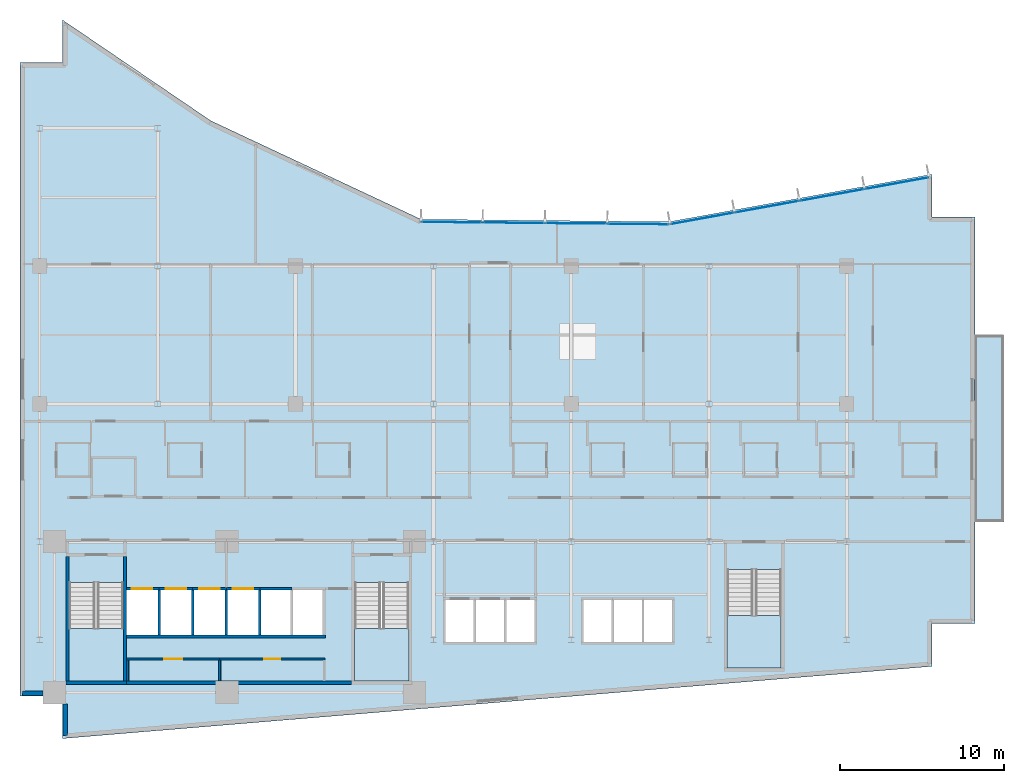
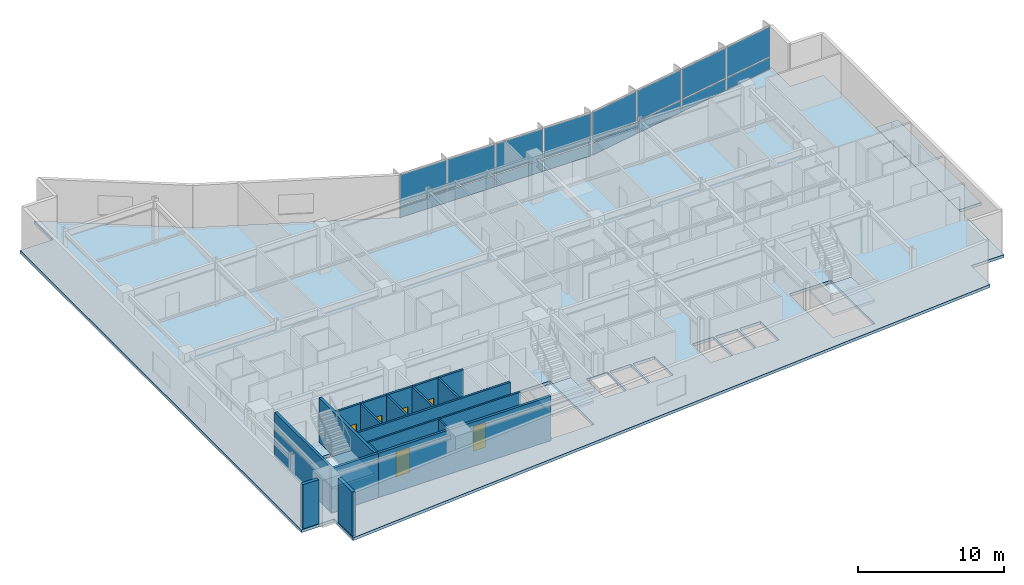
# One storey, part 9 of 19: 20 walls, 16 plates, 6 doors, 5 slabs, 6 openings, 5 elements without a shape of their own.
"""IFC4 building model written with IfcOpenShell, lengths in metres."""

from ifc_helpers import new_model, si_unit, direction, frame, frame_2d, origin, origin_2d, place, context, subcontext, project, spatial, polyline, rectangle, outline, extrude, material, layer, layer_set, type_object, element, fill, aggregate, save


model = new_model("IFC4")

# Units and contexts
model_context = context("Model", 3, precision=1e-05, world=origin(), true_north=direction((0.0, 1.0)))
body_context = subcontext(model_context, "Body", "Model", "MODEL_VIEW")
ifc_project = project(units=[si_unit("LENGTHUNIT", "METRE"), si_unit("AREAUNIT", "SQUARE_METRE"), si_unit("VOLUMEUNIT", "CUBIC_METRE"), si_unit("PLANEANGLEUNIT", "RADIAN"), si_unit("MASSUNIT", "GRAM", prefix="KILO")], contexts=[model_context])

# Site, building, storey
site_placement = place(None, origin())
site = spatial("IfcSite", under=ifc_project, at=site_placement, CompositionType="ELEMENT")
building_placement = place(site_placement, origin())
building = spatial("IfcBuilding", under=site, at=building_placement, Name="Varnakote Quay Hospital", CompositionType="ELEMENT")
storey_placement = place(building_placement, frame((0.0, 0.0, 54.10009765625)))
storey = spatial("IfcBuildingStorey", under=building, at=storey_placement, Name="L13", CompositionType="ELEMENT", Elevation=54.10009765625)

# Curtain wall, plates
ifc_material_1 = material(Name="Anodised aluminium 6063-T6 Bronze", Category="aluminium")
ifc_layer_1 = layer(ifc_material_1, 0.18994140625)
ifc_layer_set_1 = layer_set([ifc_layer_1], Name="Anodised aluminium 6063-T6 Bronze")
curtain_wall_type = type_object("IfcCurtainWallType", Name="CW-SYS-2", PredefinedType="NOTDEFINED", material=ifc_layer_set_1)
curtain_wall_1_placement = place(storey_placement, origin())
curtain_wall_1 = element("IfcCurtainWall", 1, at=curtain_wall_1_placement, inside=storey, type_object=curtain_wall_type, Name="L13 Unitised Bronze Curtain Wall 1", PredefinedType="NOTDEFINED")
ifc_material_2 = material(Name="Double-glazed acoustic laminated glass", Category="glass")
ifc_layer_2 = layer(ifc_material_2, 0.031982421875)
ifc_layer_set_2 = layer_set([ifc_layer_2], Name="Double-glazed acoustic laminated glass")
plate_type = type_object("IfcPlateType", Name="CW-PNL-GLZ-32", PredefinedType="CURTAIN_PANEL", material=ifc_layer_set_2)
plate_1_placement = place(storey_placement, frame((53.440185546875, 33.84716796875, 0.07470703125), z_axis=(0.0, 0.0, 1.0), x_axis=(-0.984058295766, -0.177846199098, 0.0)))
plate_1 = element("IfcPlate", 2, at=plate_1_placement, type_object=plate_type, Name="-2-L13-1 panel 1.1", PredefinedType="CURTAIN_PANEL", context=body_context, shape_type="SweptSolid", body=[
    extrude(rectangle(XDim=3.914306640625, YDim=0.031982421875, at=origin_2d()), origin(), (0.0, 0.0, 1.0), 0.987548828125),
])
plate_2_placement = place(storey_placement, frame((53.440185546875, 33.84716796875, 1.137451171875), z_axis=(0.0, 0.0, 1.0), x_axis=(-0.984058295766, -0.177846199098, 0.0)))
plate_2 = element("IfcPlate", 3, at=plate_2_placement, type_object=plate_type, Name="-2-L13-1 panel 1.2", PredefinedType="CURTAIN_PANEL", context=body_context, shape_type="SweptSolid", body=[
    extrude(rectangle(XDim=3.914306640625, YDim=0.031982421875, at=origin_2d()), origin(), (0.0, 0.0, 1.0), 2.49755859375),
])
plate_3_placement = place(storey_placement, frame((49.49609375, 33.13427734375, 0.07470703125), z_axis=(0.0, 0.0, 1.0), x_axis=(-0.984058295766, -0.177846199098, 0.0)))
plate_3 = element("IfcPlate", 4, at=plate_3_placement, type_object=plate_type, Name="-2-L13-1 panel 2.1", PredefinedType="CURTAIN_PANEL", context=body_context, shape_type="SweptSolid", body=[
    extrude(rectangle(XDim=3.951904296875, YDim=0.031982421875, at=origin_2d()), origin(), (0.0, 0.0, 1.0), 0.987548828125),
])
plate_4_placement = place(storey_placement, frame((49.49609375, 33.13427734375, 1.137451171875), z_axis=(0.0, 0.0, 1.0), x_axis=(-0.984058295766, -0.177846199098, 0.0)))
plate_4 = element("IfcPlate", 5, at=plate_4_placement, type_object=plate_type, Name="-2-L13-1 panel 2.2", PredefinedType="CURTAIN_PANEL", context=body_context, shape_type="SweptSolid", body=[
    extrude(rectangle(XDim=3.951904296875, YDim=0.031982421875, at=origin_2d()), origin(), (0.0, 0.0, 1.0), 2.49755859375),
])
plate_5_placement = place(storey_placement, frame((45.533447265625, 32.418212890625, 0.07470703125), z_axis=(0.0, 0.0, 1.0), x_axis=(-0.984058295766, -0.177846199098, 0.0)))
plate_5 = element("IfcPlate", 6, at=plate_5_placement, type_object=plate_type, Name="-2-L13-1 panel 3.1", PredefinedType="CURTAIN_PANEL", context=body_context, shape_type="SweptSolid", body=[
    extrude(rectangle(XDim=3.951904296875, YDim=0.031982421875, at=origin_2d()), origin(), (0.0, 0.0, 1.0), 0.987548828125),
])
plate_6_placement = place(storey_placement, frame((45.533447265625, 32.418212890625, 1.137451171875), z_axis=(0.0, 0.0, 1.0), x_axis=(-0.984058295766, -0.177846199098, 0.0)))
plate_6 = element("IfcPlate", 7, at=plate_6_placement, type_object=plate_type, Name="-2-L13-1 panel 3.2", PredefinedType="CURTAIN_PANEL", context=body_context, shape_type="SweptSolid", body=[
    extrude(rectangle(XDim=3.951904296875, YDim=0.031982421875, at=origin_2d()), origin(), (0.0, 0.0, 1.0), 2.49755859375),
])
plate_7_placement = place(storey_placement, frame((41.58935546875, 31.705322265625, 0.07470703125), z_axis=(0.0, 0.0, 1.0), x_axis=(-0.984058295766, -0.177846199098, 0.0)))
plate_7 = element("IfcPlate", 8, at=plate_7_placement, type_object=plate_type, Name="-2-L13-1 panel 4.1", PredefinedType="CURTAIN_PANEL", context=body_context, shape_type="SweptSolid", body=[
    extrude(rectangle(XDim=3.914306640625, YDim=0.031982421875, at=origin_2d()), origin(), (0.0, 0.0, 1.0), 0.987548828125),
])
plate_8_placement = place(storey_placement, frame((41.58935546875, 31.705322265625, 1.137451171875), z_axis=(0.0, 0.0, 1.0), x_axis=(-0.984058295766, -0.177846199098, 0.0)))
plate_8 = element("IfcPlate", 9, at=plate_8_placement, type_object=plate_type, Name="-2-L13-1 panel 4.2", PredefinedType="CURTAIN_PANEL", context=body_context, shape_type="SweptSolid", body=[
    extrude(rectangle(XDim=3.914306640625, YDim=0.031982421875, at=origin_2d()), origin(), (0.0, 0.0, 1.0), 2.49755859375),
])
aggregate(curtain_wall_1, [plate_1, plate_2, plate_3, plate_4, plate_5, plate_6, plate_7, plate_8])

curtain_wall_2_placement = place(storey_placement, origin())
curtain_wall_2 = element("IfcCurtainWall", 10, at=curtain_wall_2_placement, inside=storey, type_object=curtain_wall_type, Name="L13 Unitised Bronze Curtain Wall 2", PredefinedType="NOTDEFINED")
plate_9_placement = place(storey_placement, frame((37.673095703125, 31.362548828125, 0.07470703125), z_axis=(0.0, 0.0, 1.0), x_axis=(-0.999952230718, 0.009774266312, 0.0)))
plate_9 = element("IfcPlate", 11, at=plate_9_placement, type_object=plate_type, Name="-2-L13-2 panel 1.1", PredefinedType="CURTAIN_PANEL", context=body_context, shape_type="SweptSolid", body=[
    extrude(rectangle(XDim=3.68310546875, YDim=0.031982421875, at=origin_2d()), origin(), (0.0, 0.0, 1.0), 0.987548828125),
])
plate_10_placement = place(storey_placement, frame((37.673095703125, 31.362548828125, 1.137451171875), z_axis=(0.0, 0.0, 1.0), x_axis=(-0.999952230718, 0.009774266312, 0.0)))
plate_10 = element("IfcPlate", 12, at=plate_10_placement, type_object=plate_type, Name="-2-L13-2 panel 1.2", PredefinedType="CURTAIN_PANEL", context=body_context, shape_type="SweptSolid", body=[
    extrude(rectangle(XDim=3.68310546875, YDim=0.031982421875, at=origin_2d()), origin(), (0.0, 0.0, 1.0), 2.49755859375),
])
plate_11_placement = place(storey_placement, frame((33.896240234375, 31.399658203125, 0.07470703125), z_axis=(0.0, 0.0, 1.0), x_axis=(-0.999952230718, 0.009774266312, 0.0)))
plate_11 = element("IfcPlate", 13, at=plate_11_placement, type_object=plate_type, Name="-2-L13-2 panel 2.1", PredefinedType="CURTAIN_PANEL", context=body_context, shape_type="SweptSolid", body=[
    extrude(rectangle(XDim=3.720703125, YDim=0.031982421875, at=origin_2d()), origin(), (0.0, 0.0, 1.0), 0.987548828125),
])
plate_12_placement = place(storey_placement, frame((33.896240234375, 31.399658203125, 1.137451171875), z_axis=(0.0, 0.0, 1.0), x_axis=(-0.999952230718, 0.009774266312, 0.0)))
plate_12 = element("IfcPlate", 14, at=plate_12_placement, type_object=plate_type, Name="-2-L13-2 panel 2.2", PredefinedType="CURTAIN_PANEL", context=body_context, shape_type="SweptSolid", body=[
    extrude(rectangle(XDim=3.720703125, YDim=0.031982421875, at=origin_2d()), origin(), (0.0, 0.0, 1.0), 2.49755859375),
])
plate_13_placement = place(storey_placement, frame((30.100830078125, 31.436767578125, 0.07470703125), z_axis=(0.0, 0.0, 1.0), x_axis=(-0.999952230718, 0.009774266312, 0.0)))
plate_13 = element("IfcPlate", 15, at=plate_13_placement, type_object=plate_type, Name="-2-L13-2 panel 3.1", PredefinedType="CURTAIN_PANEL", context=body_context, shape_type="SweptSolid", body=[
    extrude(rectangle(XDim=3.720703125, YDim=0.031982421875, at=origin_2d()), origin(), (0.0, 0.0, 1.0), 0.987548828125),
])
plate_14_placement = place(storey_placement, frame((30.100830078125, 31.436767578125, 1.137451171875), z_axis=(0.0, 0.0, 1.0), x_axis=(-0.999952230718, 0.009774266312, 0.0)))
plate_14 = element("IfcPlate", 16, at=plate_14_placement, type_object=plate_type, Name="-2-L13-2 panel 3.2", PredefinedType="CURTAIN_PANEL", context=body_context, shape_type="SweptSolid", body=[
    extrude(rectangle(XDim=3.720703125, YDim=0.031982421875, at=origin_2d()), origin(), (0.0, 0.0, 1.0), 2.49755859375),
])
plate_15_placement = place(storey_placement, frame((26.32421875, 31.4736328125, 0.07470703125), z_axis=(0.0, 0.0, 1.0), x_axis=(-0.999952230718, 0.009774266312, 0.0)))
plate_15 = element("IfcPlate", 17, at=plate_15_placement, type_object=plate_type, Name="-2-L13-2 panel 4.1", PredefinedType="CURTAIN_PANEL", context=body_context, shape_type="SweptSolid", body=[
    extrude(rectangle(XDim=3.68310546875, YDim=0.031982421875, at=origin_2d()), origin(), (0.0, 0.0, 1.0), 0.987548828125),
])
plate_16_placement = place(storey_placement, frame((26.32421875, 31.4736328125, 1.137451171875), z_axis=(0.0, 0.0, 1.0), x_axis=(-0.999952230718, 0.009774266312, 0.0)))
plate_16 = element("IfcPlate", 18, at=plate_16_placement, type_object=plate_type, Name="-2-L13-2 panel 4.2", PredefinedType="CURTAIN_PANEL", context=body_context, shape_type="SweptSolid", body=[
    extrude(rectangle(XDim=3.68310546875, YDim=0.031982421875, at=origin_2d()), origin(), (0.0, 0.0, 1.0), 2.49755859375),
])
aggregate(curtain_wall_2, [plate_9, plate_10, plate_11, plate_12, plate_13, plate_14, plate_15, plate_16])

# Stair, slab
ifc_material_3 = material(Name="Concrete N40 (f'c 40 MPa)", Category="concrete")
stair_type = type_object("IfcStairType", Name="STR-CORE-1580", PredefinedType="HALF_TURN_STAIR", material=ifc_material_3)
stair_1_placement = place(storey_placement, origin())
stair_1 = element("IfcStair", 19, at=stair_1_placement, inside=storey, type_object=stair_type, Name="L13 Fire-Isolated Exit Stair ST-01", PredefinedType="HALF_TURN_STAIR")
ifc_material_4 = material(Name="Concrete N40 (f'c 40 MPa)", Category="concrete")
ifc_layer_3 = layer(ifc_material_4, 0.199951171875)
ifc_layer_set_3 = layer_set([ifc_layer_3], Name="Concrete N40 (f'c 40 MPa)")
slab_type_1 = type_object("IfcSlabType", Name="SLB-STAIR-LND-200", PredefinedType="LANDING", material=ifc_layer_set_3)
slab_1_placement = place(storey_placement, frame((0.0, 0.0, 1.77490234375)))
slab_1 = element("IfcSlab", 20, at=slab_1_placement, type_object=slab_type_1, Name="ST-01 landing 1", PredefinedType="LANDING", context=body_context, shape_type="SweptSolid", body=[
    extrude(outline(polyline([(3.0, 6.699951171875), (3.0, 3.5), (6.300048828125, 3.5), (6.300048828125, 6.699951171875), (3.0, 6.699951171875)])), origin(), (0.0, 0.0, 1.0), 0.199951171875),
])
aggregate(stair_1, [slab_1])

stair_2_placement = place(storey_placement, origin())
stair_2 = element("IfcStair", 21, at=stair_2_placement, inside=storey, type_object=stair_type, Name="L13 Fire-Isolated Exit Stair ST-02", PredefinedType="HALF_TURN_STAIR")
slab_2_placement = place(storey_placement, frame((0.0, 0.0, 1.77490234375)))
slab_2 = element("IfcSlab", 22, at=slab_2_placement, type_object=slab_type_1, Name="ST-02 landing 1", PredefinedType="LANDING", context=body_context, shape_type="SweptSolid", body=[
    extrude(outline(polyline([(20.39990234375, 6.699951171875), (20.39990234375, 3.5), (23.699951171875, 3.5), (23.699951171875, 6.699951171875), (20.39990234375, 6.699951171875)])), origin(), (0.0, 0.0, 1.0), 0.199951171875),
])
aggregate(stair_2, [slab_2])

stair_3_placement = place(storey_placement, origin())
stair_3 = element("IfcStair", 23, at=stair_3_placement, inside=storey, type_object=stair_type, Name="L13 Fire-Isolated Exit Stair ST-03", PredefinedType="HALF_TURN_STAIR")
slab_3_placement = place(storey_placement, frame((0.0, 0.0, 1.77490234375)))
slab_3 = element("IfcSlab", 24, at=slab_3_placement, type_object=slab_type_1, Name="ST-03 landing 1", PredefinedType="LANDING", context=body_context, shape_type="SweptSolid", body=[
    extrude(outline(polyline([(43.10009765625, 7.5), (43.10009765625, 4.300048828125), (46.39990234375, 4.300048828125), (46.39990234375, 7.5), (43.10009765625, 7.5)])), origin(), (0.0, 0.0, 1.0), 0.199951171875),
])
aggregate(stair_3, [slab_3])

# Slabs
ifc_material_5 = material(Name="Concrete N50 (f'c 50 MPa)", Category="concrete")
ifc_layer_4 = layer(ifc_material_5, 0.239990234375)
ifc_layer_set_4 = layer_set([ifc_layer_4], Name="Concrete N50 (f'c 50 MPa)")
slab_type_2 = type_object("IfcSlabType", Name="SLB-TERR-200", PredefinedType="FLOOR", material=ifc_layer_set_4)
slab_4_placement = place(storey_placement, frame((0.0, 0.0, -0.239990234375)))
element("IfcSlab", 25, at=slab_4_placement, inside=storey, type_object=slab_type_2, Name="L13 Waterfront Healing Terrace Slab", PredefinedType="FLOOR", context=body_context, shape_type="SweptSolid", body=[
    extrude(outline(polyline([(58.196044921875, 24.60009765625), (58.196044921875, 13.199951171875), (59.97998046875, 13.199951171875), (59.97998046875, 24.60009765625), (58.196044921875, 24.60009765625)])), origin(), (0.0, 0.0, 1.0), 0.239990234375),
])
ifc_material_6 = material(Name="Concrete N50 (f'c 50 MPa)", Category="concrete")
ifc_layer_5 = layer(ifc_material_6, 0.239990234375)
ifc_layer_set_5 = layer_set([ifc_layer_5], Name="Concrete N50 (f'c 50 MPa)")
slab_type_3 = type_object("IfcSlabType", Name="SLB-WARD-200", PredefinedType="FLOOR", material=ifc_layer_set_5)
slab_5_placement = place(storey_placement, frame((0.0, 0.0, -0.239990234375)))
element("IfcSlab", 26, at=slab_5_placement, inside=storey, type_object=slab_type_3, Name="L13 Primary Floor Slab", PredefinedType="FLOOR", context=body_context, shape_type="SweptSolid", body=[
    extrude(outline(polyline([(0.0, 2.60009765625), (2.60009765625, 2.60009765625), (2.60009765625, 0.0), (55.60009765625, 4.39990234375), (55.60009765625, 7.0), (58.199951171875, 7.0), (58.199951171875, 31.800048828125), (55.60009765625, 31.800048828125), (55.60009765625, 34.39990234375), (39.575927734375, 31.50390625), (24.444091796875, 31.652099609375), (11.639892578125, 37.656005859375), (2.60009765625, 43.800048828125), (2.60009765625, 41.199951171875), (0.0, 41.199951171875), (0.0, 2.60009765625)]), holes=[polyline([(3.0, 3.5), (6.300048828125, 3.5), (6.300048828125, 9.49951171875), (3.0, 9.49951171875), (3.0, 3.5)]), polyline([(20.39990234375, 3.5), (23.699951171875, 3.5), (23.699951171875, 9.49951171875), (20.39990234375, 9.49951171875), (20.39990234375, 3.5)]), polyline([(43.10009765625, 4.300048828125), (46.39990234375, 4.300048828125), (46.39990234375, 10.29931640625), (43.10009765625, 10.29931640625), (43.10009765625, 4.300048828125)]), polyline([(6.5, 6.300048828125), (8.39990234375, 6.300048828125), (8.39990234375, 9.050048828125), (6.5, 9.050048828125), (6.5, 6.300048828125)]), polyline([(8.550048828125, 6.300048828125), (10.449951171875, 6.300048828125), (10.449951171875, 9.050048828125), (8.550048828125, 9.050048828125), (8.550048828125, 6.300048828125)]), polyline([(10.60009765625, 6.300048828125), (12.5, 6.300048828125), (12.5, 9.050048828125), (10.60009765625, 9.050048828125), (10.60009765625, 6.300048828125)]), polyline([(12.64990234375, 6.300048828125), (14.550048828125, 6.300048828125), (14.550048828125, 9.050048828125), (12.64990234375, 9.050048828125), (12.64990234375, 6.300048828125)]), polyline([(14.699951171875, 6.300048828125), (16.5, 6.300048828125), (16.5, 9.050048828125), (14.699951171875, 9.050048828125), (14.699951171875, 6.300048828125)]), polyline([(16.64990234375, 6.300048828125), (18.449951171875, 6.300048828125), (18.449951171875, 9.050048828125), (16.64990234375, 9.050048828125), (16.64990234375, 6.300048828125)]), polyline([(25.949951171875, 5.89990234375), (27.64990234375, 5.89990234375), (27.64990234375, 8.449951171875), (25.949951171875, 8.449951171875), (25.949951171875, 5.89990234375)]), polyline([(27.800048828125, 5.89990234375), (29.5, 5.89990234375), (29.5, 8.449951171875), (27.800048828125, 8.449951171875), (27.800048828125, 5.89990234375)]), polyline([(29.64990234375, 5.89990234375), (31.35009765625, 5.89990234375), (31.35009765625, 8.449951171875), (29.64990234375, 8.449951171875), (29.64990234375, 5.89990234375)]), polyline([(34.35009765625, 5.89990234375), (36.050048828125, 5.89990234375), (36.050048828125, 8.449951171875), (34.35009765625, 8.449951171875), (34.35009765625, 5.89990234375)]), polyline([(36.199951171875, 5.89990234375), (37.89990234375, 5.89990234375), (37.89990234375, 8.449951171875), (36.199951171875, 8.449951171875), (36.199951171875, 5.89990234375)]), polyline([(38.050048828125, 5.89990234375), (39.75, 5.89990234375), (39.75, 8.449951171875), (38.050048828125, 8.449951171875), (38.050048828125, 5.89990234375)])]), origin(), (0.0, 0.0, 1.0), 0.239990234375),
])

# Walls
ifc_material_7 = material(Name="Concrete N80 (f'c 80 MPa)", Category="concrete")
ifc_layer_6 = layer(ifc_material_7, 0.199951171875)
ifc_layer_set_6 = layer_set([ifc_layer_6], Name="Concrete N80 (f'c 80 MPa)")
wall_type_1 = type_object("IfcWallType", Name="WL-CORE-N80-200", PredefinedType="SHEAR", material=ifc_layer_set_6)
wall_1_placement = place(storey_placement, frame((6.5, 3.39990234375, 0.0), z_axis=(0.0, 0.0, 1.0), x_axis=(1.0, 0.0, 0.0)))
element("IfcWall", 27, at=wall_1_placement, inside=storey, type_object=wall_type_1, Name="L13 Rear Core South Shear Wall", PredefinedType="SHEAR", context=body_context, shape_type="SweptSolid", body=[
    extrude(rectangle(XDim=13.699951171875, YDim=0.199951171875, at=frame_2d((6.85009765625, 0.0))), origin(), (0.0, 0.0, 1.0), 3.7099609375),
])
ifc_material_8 = material(Name="Precast concrete N50 (f'c 50 MPa)", Category="concrete")
ifc_layer_7 = layer(ifc_material_8, 0.260009765625)
ifc_layer_set_7 = layer_set([ifc_layer_7], Name="Precast concrete N50 (f'c 50 MPa)")
wall_type_2 = type_object("IfcWallType", Name="WL-EXT-BRICK-260", PredefinedType="STANDARD", material=ifc_layer_set_7)
wall_2_placement = place(storey_placement, frame((2.760009765625, 2.114990234375, 0.0), z_axis=(0.0, 0.0, 1.0), x_axis=(0.0, -1.0, 0.0)))
element("IfcWall", 28, at=wall_2_placement, inside=storey, type_object=wall_type_2, Name="L13 Brick-Faced Precast Exterior Wall", PredefinedType="STANDARD", context=body_context, shape_type="SweptSolid", body=[
    extrude(rectangle(XDim=1.941162109375, YDim=0.260009765625, at=frame_2d((0.970703125, 0.0))), origin(), (0.0, 0.0, 1.0), 3.7099609375),
])
wall_3_placement = place(storey_placement, frame((0.159912109375, 2.760009765625, 0.0), z_axis=(0.0, 0.0, 1.0), x_axis=(1.0, 0.0, 0.0)))
element("IfcWall", 29, at=wall_3_placement, inside=storey, type_object=wall_type_2, Name="L13 Brick-Faced Precast Exterior Wall", PredefinedType="STANDARD", context=body_context, shape_type="SweptSolid", body=[
    extrude(rectangle(XDim=1.255126953125, YDim=0.260009765625, at=frame_2d((0.62744140625, 0.0))), origin(), (0.0, 0.0, 1.0), 3.7099609375),
])
ifc_material_9 = material(Name="Concrete N50 (f'c 50 MPa)", Category="concrete")
ifc_layer_8 = layer(ifc_material_9, 0.14990234375)
ifc_layer_set_8 = layer_set([ifc_layer_8], Name="Concrete N50 (f'c 50 MPa)")
wall_type_3 = type_object("IfcWallType", Name="WL-SHAFT-N50-150", PredefinedType="SHEAR", material=ifc_layer_set_8)
for number, where, z_axis, x_axis, name in (
    (30, (8.47509765625, 6.300048828125, 0.0), (0.0, 0.0, 1.0), (0.0, 1.0, 0.0), "L13 LF-FF1 Hoistway Divider Wall"),
    (31, (10.52490234375, 6.300048828125, 0.0), (0.0, 0.0, 1.0), (0.0, 1.0, 0.0), "L13 LF-FF2 Hoistway Divider Wall"),
    (32, (12.574951171875, 6.300048828125, 0.0), (0.0, 0.0, 1.0), (0.0, 1.0, 0.0), "L13 LF-SV1 Hoistway Divider Wall"),
    (33, (14.625, 6.300048828125, 0.0), (0.0, 0.0, 1.0), (0.0, 1.0, 0.0), "L13 LF-SV2 Hoistway Divider Wall"),
):
    element("IfcWall", number, at=place(storey_placement, frame(where, z_axis=z_axis, x_axis=x_axis)), inside=storey, type_object=wall_type_3, Name=name, PredefinedType="SHEAR", context=body_context, shape_type="SweptSolid", body=[
        extrude(rectangle(XDim=2.75, YDim=0.14990234375, at=frame_2d((1.375, 0.0))), origin(), (0.0, 0.0, 1.0), 3.7099609375),
    ])
ifc_material_10 = material(Name="Concrete N50 (f'c 50 MPa)", Category="concrete")
ifc_layer_9 = layer(ifc_material_10, 0.159912109375)
ifc_layer_set_9 = layer_set([ifc_layer_9], Name="Concrete N50 (f'c 50 MPa)")
wall_type_4 = type_object("IfcWallType", Name="WL-SHAFT-N50-160", PredefinedType="SHEAR", material=ifc_layer_set_9)
wall_4_placement = place(storey_placement, frame((6.5, 6.219970703125, 0.0), z_axis=(0.0, 0.0, 1.0), x_axis=(1.0, 0.0, 0.0)))
element("IfcWall", 34, at=wall_4_placement, inside=storey, type_object=wall_type_4, Name="L13 REAR Lift Bank Back Shear Wall", PredefinedType="SHEAR", context=body_context, shape_type="SweptSolid", body=[
    extrude(rectangle(XDim=12.110107421875, YDim=0.159912109375, at=frame_2d((6.05517578125, 0.0))), origin(), (0.0, 0.0, 1.0), 3.7099609375),
])

# Wall, opening, door
wall_5_placement = place(storey_placement, frame((6.5, 9.1298828125, 0.0), z_axis=(0.0, 0.0, 1.0), x_axis=(1.0, 0.0, 0.0)))
wall_5 = element("IfcWall", 35, at=wall_5_placement, inside=storey, type_object=wall_type_4, Name="L13 LF-FF1 Hoistway Front Wall", PredefinedType="SHEAR", context=body_context, shape_type="SweptSolid", body=[
    extrude(rectangle(XDim=1.97509765625, YDim=0.159912109375, at=frame_2d((0.987548828125, 0.0))), origin(), (0.0, 0.0, 1.0), 3.7099609375),
])
opening_1_placement = place(wall_5_placement, frame((0.324951171875, 0.0, 0.0)))
opening_1 = element("IfcOpeningElement", 36, at=opening_1_placement, cuts=wall_5, Name="Opening LD-FF1-L13", PredefinedType="OPENING", context=body_context, shape_type="SweptSolid", body=[
    extrude(rectangle(XDim=1.25, YDim=2.14990234375, at=frame_2d((0.625, 1.074951171875))), frame((0.0, 0.08984375, 0.0), z_axis=(0.0, -1.0, 0.0), x_axis=(1.0, 0.0, 0.0)), (0.0, 0.0, 1.0), 0.179931640625),
])
ifc_material_11 = material(Name="Stainless steel lift landing sliding door", Category="steel")
door_type_1 = type_object("IfcDoorType", Name="DR-LIFT-LD-1250x2150", OperationType="NOTDEFINED", PredefinedType="DOOR", material=ifc_material_11)
door_1_placement = place(opening_1_placement, origin())
door_1 = element("IfcDoor", 37, at=door_1_placement, inside=storey, type_object=door_type_1, Name="L13 LF-FF1 Lift Landing Sliding Door", OperationType="SLIDING_TO_LEFT", OverallHeight=2.14990234375, OverallWidth=1.25, PredefinedType="DOOR", context=body_context, shape_type="SweptSolid", body=[
    extrude(rectangle(XDim=1.25, YDim=2.14990234375, at=frame_2d((0.625, 1.074951171875))), frame((0.0, 0.02490234375, 0.0), z_axis=(0.0, -1.0, 0.0), x_axis=(1.0, 0.0, 0.0)), (0.0, 0.0, 1.0), 0.050048828125),
])
fill(opening_1, door_1)

wall_6_placement = place(storey_placement, frame((8.47509765625, 9.1298828125, 0.0), z_axis=(0.0, 0.0, 1.0), x_axis=(1.0, 0.0, 0.0)))
wall_6 = element("IfcWall", 38, at=wall_6_placement, inside=storey, type_object=wall_type_4, Name="L13 LF-FF2 Hoistway Front Wall", PredefinedType="SHEAR", context=body_context, shape_type="SweptSolid", body=[
    extrude(rectangle(XDim=2.0498046875, YDim=0.159912109375, at=frame_2d((1.02490234375, 0.0))), origin(), (0.0, 0.0, 1.0), 3.7099609375),
])
opening_2_placement = place(wall_6_placement, frame((0.39990234375, 0.0, 0.0)))
opening_2 = element("IfcOpeningElement", 39, at=opening_2_placement, cuts=wall_6, Name="Opening LD-FF2-L13", PredefinedType="OPENING", context=body_context, shape_type="SweptSolid", body=[
    extrude(rectangle(XDim=1.25, YDim=2.14990234375, at=frame_2d((0.625, 1.074951171875))), frame((0.0, 0.08984375, 0.0), z_axis=(0.0, -1.0, 0.0), x_axis=(1.0, 0.0, 0.0)), (0.0, 0.0, 1.0), 0.179931640625),
])
door_2_placement = place(opening_2_placement, origin())
door_2 = element("IfcDoor", 40, at=door_2_placement, inside=storey, type_object=door_type_1, Name="L13 LF-FF2 Lift Landing Sliding Door", OperationType="SLIDING_TO_LEFT", OverallHeight=2.14990234375, OverallWidth=1.25, PredefinedType="DOOR", context=body_context, shape_type="SweptSolid", body=[
    extrude(rectangle(XDim=1.25, YDim=2.14990234375, at=frame_2d((0.625, 1.074951171875))), frame((0.0, 0.02490234375, 0.0), z_axis=(0.0, -1.0, 0.0), x_axis=(1.0, 0.0, 0.0)), (0.0, 0.0, 1.0), 0.050048828125),
])
fill(opening_2, door_2)

wall_7_placement = place(storey_placement, frame((10.52490234375, 9.1298828125, 0.0), z_axis=(0.0, 0.0, 1.0), x_axis=(1.0, 0.0, 0.0)))
wall_7 = element("IfcWall", 41, at=wall_7_placement, inside=storey, type_object=wall_type_4, Name="L13 LF-SV1 Hoistway Front Wall", PredefinedType="SHEAR", context=body_context, shape_type="SweptSolid", body=[
    extrude(rectangle(XDim=2.050048828125, YDim=0.159912109375, at=frame_2d((1.02490234375, 0.0))), origin(), (0.0, 0.0, 1.0), 3.7099609375),
])
opening_3_placement = place(wall_7_placement, frame((0.39990234375, 0.0, 0.0)))
opening_3 = element("IfcOpeningElement", 42, at=opening_3_placement, cuts=wall_7, Name="Opening LD-SV1-L13", PredefinedType="OPENING", context=body_context, shape_type="SweptSolid", body=[
    extrude(rectangle(XDim=1.25, YDim=2.14990234375, at=frame_2d((0.625, 1.074951171875))), frame((0.0, 0.08984375, 0.0), z_axis=(0.0, -1.0, 0.0), x_axis=(1.0, 0.0, 0.0)), (0.0, 0.0, 1.0), 0.179931640625),
])
door_3_placement = place(opening_3_placement, origin())
door_3 = element("IfcDoor", 43, at=door_3_placement, inside=storey, type_object=door_type_1, Name="L13 LF-SV1 Lift Landing Sliding Door", OperationType="SLIDING_TO_LEFT", OverallHeight=2.14990234375, OverallWidth=1.25, PredefinedType="DOOR", context=body_context, shape_type="SweptSolid", body=[
    extrude(rectangle(XDim=1.25, YDim=2.14990234375, at=frame_2d((0.625, 1.074951171875))), frame((0.0, 0.02490234375, 0.0), z_axis=(0.0, -1.0, 0.0), x_axis=(1.0, 0.0, 0.0)), (0.0, 0.0, 1.0), 0.050048828125),
])
fill(opening_3, door_3)

wall_8_placement = place(storey_placement, frame((12.574951171875, 9.1298828125, 0.0), z_axis=(0.0, 0.0, 1.0), x_axis=(1.0, 0.0, 0.0)))
wall_8 = element("IfcWall", 44, at=wall_8_placement, inside=storey, type_object=wall_type_4, Name="L13 LF-SV2 Hoistway Front Wall", PredefinedType="SHEAR", context=body_context, shape_type="SweptSolid", body=[
    extrude(rectangle(XDim=2.050048828125, YDim=0.159912109375, at=frame_2d((1.02490234375, 0.0))), origin(), (0.0, 0.0, 1.0), 3.7099609375),
])
opening_4_placement = place(wall_8_placement, frame((0.39990234375, 0.0, 0.0)))
opening_4 = element("IfcOpeningElement", 45, at=opening_4_placement, cuts=wall_8, Name="Opening LD-SV2-L13", PredefinedType="OPENING", context=body_context, shape_type="SweptSolid", body=[
    extrude(rectangle(XDim=1.25, YDim=2.14990234375, at=frame_2d((0.625, 1.074951171875))), frame((0.0, 0.08984375, 0.0), z_axis=(0.0, -1.0, 0.0), x_axis=(1.0, 0.0, 0.0)), (0.0, 0.0, 1.0), 0.179931640625),
])
door_4_placement = place(opening_4_placement, origin())
door_4 = element("IfcDoor", 46, at=door_4_placement, inside=storey, type_object=door_type_1, Name="L13 LF-SV2 Lift Landing Sliding Door", OperationType="SLIDING_TO_LEFT", OverallHeight=2.14990234375, OverallWidth=1.25, PredefinedType="DOOR", context=body_context, shape_type="SweptSolid", body=[
    extrude(rectangle(XDim=1.25, YDim=2.14990234375, at=frame_2d((0.625, 1.074951171875))), frame((0.0, 0.02490234375, 0.0), z_axis=(0.0, -1.0, 0.0), x_axis=(1.0, 0.0, 0.0)), (0.0, 0.0, 1.0), 0.050048828125),
])
fill(opening_4, door_4)

# Walls
wall_9_placement = place(storey_placement, frame((14.625, 9.1298828125, 0.0), z_axis=(0.0, 0.0, 1.0), x_axis=(1.0, 0.0, 0.0)))
element("IfcWall", 47, at=wall_9_placement, inside=storey, type_object=wall_type_4, Name="L13 LF-PH1 Hoistway Front Wall", PredefinedType="SHEAR", context=body_context, shape_type="SweptSolid", body=[
    extrude(rectangle(XDim=1.949951171875, YDim=0.159912109375, at=frame_2d((0.97509765625, 0.0))), origin(), (0.0, 0.0, 1.0), 3.7099609375),
])
ifc_material_12 = material(Name="Concrete N50 (f'c 50 MPa)", Category="concrete")
ifc_layer_10 = layer(ifc_material_12, 0.199951171875)
ifc_layer_set_10 = layer_set([ifc_layer_10], Name="Concrete N50 (f'c 50 MPa)")
wall_type_5 = type_object("IfcWallType", Name="WL-SHAFT-N50-200", PredefinedType="SHEAR", material=ifc_layer_set_10)
wall_10_placement = place(storey_placement, frame((2.800048828125, 3.39990234375, 0.0), z_axis=(0.0, 0.0, 1.0), x_axis=(1.0, 0.0, 0.0)))
element("IfcWall", 48, at=wall_10_placement, inside=storey, type_object=wall_type_5, Name="L13 Stair ST1 South Shaft Wall", PredefinedType="SHEAR", context=body_context, shape_type="SweptSolid", body=[
    extrude(rectangle(XDim=3.699951171875, YDim=0.199951171875, at=frame_2d((1.85009765625, 0.0))), origin(), (0.0, 0.0, 1.0), 3.7099609375),
])
for number, where, z_axis, x_axis, name in (
    (49, (2.89990234375, 3.5, 0.0), (0.0, 0.0, 1.0), (0.0, 1.0, 0.0), "L13 Stair ST1 West Shaft Wall"),
    (50, (6.39990234375, 3.5, 0.0), (0.0, 0.0, 1.0), (0.0, 1.0, 0.0), "L13 Stair ST1 East Shaft Wall"),
):
    element("IfcWall", number, at=place(storey_placement, frame(where, z_axis=z_axis, x_axis=x_axis)), inside=storey, type_object=wall_type_5, Name=name, PredefinedType="SHEAR", context=body_context, shape_type="SweptSolid", body=[
        extrude(rectangle(XDim=7.60009765625, YDim=0.199951171875, at=frame_2d((3.800048828125, 0.0))), origin(), (0.0, 0.0, 1.0), 3.7099609375),
    ])
ifc_material_13 = material(Name="Smoke-proof clinical partition", Category="gypsum")
ifc_layer_11 = layer(ifc_material_13, 0.1201171875)
ifc_layer_set_11 = layer_set([ifc_layer_11], Name="Smoke-proof clinical partition")
wall_type_6 = type_object("IfcWallType", Name="WL-SMOKE-120", PredefinedType="PARTITIONING", material=ifc_layer_set_11)
for number, where, z_axis, x_axis, name in (
    (51, (6.56005859375, 3.52001953125, 0.0), (0.0, 0.0, 1.0), (0.0, 1.0, 0.0), "L13 Core South Service West Wall"),
    (52, (12.169921875, 3.52001953125, 0.0), (0.0, 0.0, 1.0), (0.0, 1.0, 0.0), "L13 Core South Service Divider"),
):
    element("IfcWall", number, at=place(storey_placement, frame(where, z_axis=z_axis, x_axis=x_axis)), inside=storey, type_object=wall_type_6, Name=name, PredefinedType="PARTITIONING", context=body_context, shape_type="SweptSolid", body=[
        extrude(rectangle(XDim=1.260009765625, YDim=0.1201171875, at=frame_2d((0.6298828125, 0.0))), origin(), (0.0, 0.0, 1.0), 3.7099609375),
    ])

# Wall, opening, door
ifc_material_14 = material(Name="Fire-rated clinical gypsum partition", Category="gypsum")
ifc_layer_12 = layer(ifc_material_14, 0.139892578125)
ifc_layer_set_12 = layer_set([ifc_layer_12], Name="Fire-rated clinical gypsum partition")
wall_type_7 = type_object("IfcWallType", Name="WL-WARD-140", PredefinedType="PARTITIONING", material=ifc_layer_set_12)
wall_11_placement = place(storey_placement, frame((6.5, 4.85009765625, 0.0), z_axis=(0.0, 0.0, 1.0), x_axis=(1.0, 0.0, 0.0)))
wall_11 = element("IfcWall", 53, at=wall_11_placement, inside=storey, type_object=wall_type_7, Name="L13 Core Clean Linen Store North Wall", PredefinedType="PARTITIONING", context=body_context, shape_type="SweptSolid", body=[
    extrude(rectangle(XDim=5.669921875, YDim=0.139892578125, at=frame_2d((2.8349609375, 0.0))), origin(), (0.0, 0.0, 1.0), 3.7099609375),
])
opening_5_placement = place(wall_11_placement, frame((2.284912109375, 0.0, 0.0)))
opening_5 = element("IfcOpeningElement", 54, at=opening_5_placement, cuts=wall_11, Name="Opening D-L13-CR01", PredefinedType="OPENING", context=body_context, shape_type="SweptSolid", body=[
    extrude(rectangle(XDim=1.10009765625, YDim=2.10009765625, at=frame_2d((0.550048828125, 1.050048828125))), frame((0.0, 0.079833984375, 0.0), z_axis=(0.0, -1.0, 0.0), x_axis=(1.0, 0.0, 0.0)), (0.0, 0.0, 1.0), 0.159912109375),
])
ifc_material_15 = material(Name="Acoustic timber clinical consult door", Category="wood")
door_type_2 = type_object("IfcDoorType", Name="DR-CLIN-FD30S-1100x2100", OperationType="NOTDEFINED", PredefinedType="DOOR", material=ifc_material_15)
door_5_placement = place(opening_5_placement, origin())
door_5 = element("IfcDoor", 55, at=door_5_placement, inside=storey, type_object=door_type_2, Name="L13 Core Clean Linen Store Door", OperationType="SINGLE_SWING_RIGHT", OverallHeight=2.10009765625, OverallWidth=1.10009765625, PredefinedType="DOOR", context=body_context, shape_type="SweptSolid", body=[
    extrude(rectangle(XDim=1.10009765625, YDim=2.10009765625, at=frame_2d((0.550048828125, 1.050048828125))), frame((0.0, 0.02490234375, 0.0), z_axis=(0.0, -1.0, 0.0), x_axis=(1.0, 0.0, 0.0)), (0.0, 0.0, 1.0), 0.050048828125),
])
fill(opening_5, door_5)

wall_12_placement = place(storey_placement, frame((12.169921875, 4.85009765625, 0.0), z_axis=(0.0, 0.0, 1.0), x_axis=(1.0, 0.0, 0.0)))
wall_12 = element("IfcWall", 56, at=wall_12_placement, inside=storey, type_object=wall_type_7, Name="L13 Core Staff Sanitary WC North Wall", PredefinedType="PARTITIONING", context=body_context, shape_type="SweptSolid", body=[
    extrude(rectangle(XDim=6.43017578125, YDim=0.139892578125, at=frame_2d((3.215087890625, 0.0))), origin(), (0.0, 0.0, 1.0), 3.7099609375),
])
opening_6_placement = place(wall_12_placement, frame((2.72509765625, 0.0, 0.0)))
opening_6 = element("IfcOpeningElement", 57, at=opening_6_placement, cuts=wall_12, Name="Opening D-L13-CR02", PredefinedType="OPENING", context=body_context, shape_type="SweptSolid", body=[
    extrude(rectangle(XDim=0.97998046875, YDim=2.10009765625, at=frame_2d((0.489990234375, 1.050048828125))), frame((0.0, 0.079833984375, 0.0), z_axis=(0.0, -1.0, 0.0), x_axis=(1.0, 0.0, 0.0)), (0.0, 0.0, 1.0), 0.159912109375),
])
ifc_material_16 = material(Name="Accessible sanitary compartment door")
door_type_3 = type_object("IfcDoorType", Name="DR-WC-980x2100", OperationType="NOTDEFINED", PredefinedType="DOOR", material=ifc_material_16)
door_6_placement = place(opening_6_placement, origin())
door_6 = element("IfcDoor", 58, at=door_6_placement, inside=storey, type_object=door_type_3, Name="L13 Core Staff Sanitary WC Door", OperationType="SINGLE_SWING_LEFT", OverallHeight=2.10009765625, OverallWidth=0.97998046875, PredefinedType="DOOR", context=body_context, shape_type="SweptSolid", body=[
    extrude(rectangle(XDim=0.97998046875, YDim=2.10009765625, at=frame_2d((0.489990234375, 1.050048828125))), frame((0.0, 0.02490234375, 0.0), z_axis=(0.0, -1.0, 0.0), x_axis=(1.0, 0.0, 0.0)), (0.0, 0.0, 1.0), 0.050048828125),
])
fill(opening_6, door_6)

save(model, "model.ifc")
